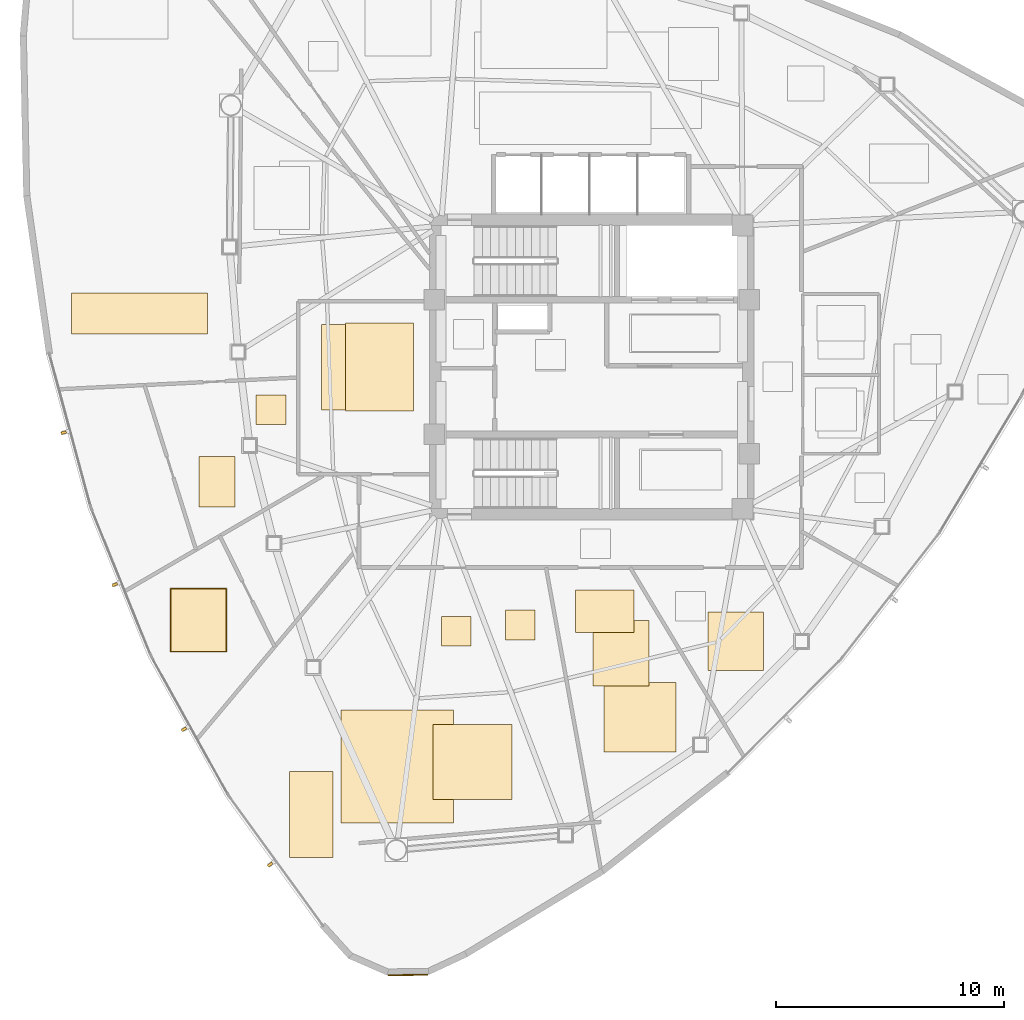
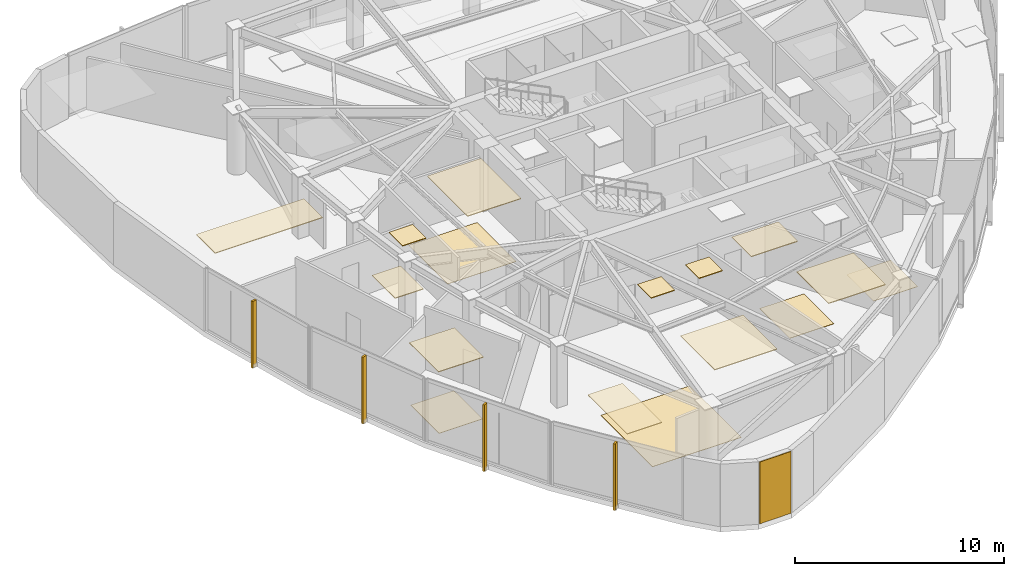
# One storey, part 11 of 13: 17 coverings, 4 shading devices.
"""IFC4 building model written with IfcOpenShell, lengths in metres."""

from ifc_helpers import new_model, si_unit, direction, frame, origin, origin_2d, place, context, subcontext, project, spatial, polyline, rectangle, outline, extrude, source, transform, mapped, material, layer, layer_set, type_object, type_shapes, element, save


model = new_model("IFC4")

# Units and contexts
model_context = context("Model", 3, precision=1e-05, world=origin(), true_north=direction((0.0, 1.0)))
body_context = subcontext(model_context, "Body", "Model", "MODEL_VIEW")
ifc_project = project(units=[si_unit("LENGTHUNIT", "METRE"), si_unit("AREAUNIT", "SQUARE_METRE"), si_unit("VOLUMEUNIT", "CUBIC_METRE"), si_unit("PLANEANGLEUNIT", "RADIAN"), si_unit("MASSUNIT", "GRAM", prefix="KILO")], contexts=[model_context])

# Site, building, storey
site_placement = place(None, origin())
site = spatial("IfcSite", under=ifc_project, at=site_placement, CompositionType="ELEMENT")
building_placement = place(site_placement, origin())
building = spatial("IfcBuilding", under=site, at=building_placement, Name="Tavelor Broadcast Tower", CompositionType="ELEMENT")
storey_placement = place(building_placement, frame((0.0, 0.0, 245.85009765625)))
storey = spatial("IfcBuildingStorey", under=building, at=storey_placement, Name="L58", CompositionType="ELEMENT", Elevation=245.85009765625)

# Coverings
ifc_material_1 = material(Name="Copper-Bronze Anodized Aluminium", Category="aluminium")
ifc_layer_1 = layer(ifc_material_1, 0.050048828125)
ifc_layer_set_1 = layer_set([ifc_layer_1], Name="Copper-Bronze Anodized Aluminium")
covering_type_1 = type_object("IfcCoveringType", Name="Champagne-Bronze Corner Pier Metal Cladding 50 mm", PredefinedType="CLADDING", material=ifc_layer_set_1)
covering_1_placement = place(storey_placement, frame((41.951416015625, 18.37841796875, 0.02001953125), z_axis=(0.0, 0.0, 1.0), x_axis=(0.999914327574, 0.013089595571, 0.0)))
element("IfcCovering", 1, at=covering_1_placement, inside=storey, type_object=covering_type_1, Name="L58 Champagne-Bronze Corner Cladding 13", PredefinedType="CLADDING", context=body_context, shape_type="SweptSolid", body=[
    extrude(rectangle(XDim=1.74365234375, YDim=0.050048828125, at=origin_2d()), origin(), (0.0, 0.0, 1.0), 3.610107421875),
])
ifc_material_2 = material(Name="Acoustic Nylon Carpet Tile")
ifc_layer_2 = layer(ifc_material_2, 0.02001953125)
ifc_layer_set_2 = layer_set([ifc_layer_2], Name="Acoustic Nylon Carpet Tile")
covering_type_2 = type_object("IfcCoveringType", Name="Heavy-Duty Acoustic Broadcast Carpet Tile 20 mm", PredefinedType="FLOORING", material=ifc_layer_set_2)
covering_2_placement = place(storey_placement, origin())
element("IfcCovering", 2, at=covering_2_placement, inside=storey, type_object=covering_type_2, Name="L58 Broadcast Floor Finish 0852", PredefinedType="FLOORING", context=body_context, shape_type="SweptSolid", body=[
    extrude(outline(polyline([(38.15771484375, 43.12890625), (41.942138671875, 43.12890625), (41.942138671875, 46.87060546875), (38.15771484375, 46.87060546875), (38.15771484375, 43.12890625)])), origin(), (0.0, 0.0, 1.0), 0.02001953125),
])
covering_3_placement = place(storey_placement, origin())
element("IfcCovering", 3, at=covering_3_placement, inside=storey, type_object=covering_type_2, Name="L58 Broadcast Floor Finish 0855", PredefinedType="FLOORING", context=body_context, shape_type="SweptSolid", body=[
    extrude(outline(polyline([(55.085205078125, 31.7099609375), (57.51806640625, 31.7099609375), (57.51806640625, 34.269775390625), (55.085205078125, 34.269775390625), (55.085205078125, 31.7099609375)])), origin(), (0.0, 0.0, 1.0), 0.02001953125),
])
covering_4_placement = place(storey_placement, origin())
element("IfcCovering", 4, at=covering_4_placement, inside=storey, type_object=covering_type_2, Name="L58 Broadcast Floor Finish 0856", PredefinedType="FLOORING", context=body_context, shape_type="SweptSolid", body=[
    extrude(outline(polyline([(50.062255859375, 31.02978515625), (52.50341796875, 31.02978515625), (52.50341796875, 33.90673828125), (50.062255859375, 33.90673828125), (50.062255859375, 31.02978515625)])), origin(), (0.0, 0.0, 1.0), 0.02001953125),
])
covering_5_placement = place(storey_placement, origin())
element("IfcCovering", 5, at=covering_5_placement, inside=storey, type_object=covering_type_2, Name="L58 Broadcast Floor Finish 0857", PredefinedType="FLOORING", context=body_context, shape_type="SweptSolid", body=[
    extrude(outline(polyline([(39.02490234375, 25.038818359375), (43.936767578125, 25.038818359375), (43.936767578125, 29.984130859375), (39.02490234375, 29.984130859375), (39.02490234375, 25.038818359375)])), origin(), (0.0, 0.0, 1.0), 0.02001953125),
])
covering_6_placement = place(storey_placement, origin())
element("IfcCovering", 6, at=covering_6_placement, inside=storey, type_object=covering_type_2, Name="L58 Broadcast Floor Finish 0858", PredefinedType="FLOORING", context=body_context, shape_type="SweptSolid", body=[
    extrude(outline(polyline([(31.5751953125, 32.552734375), (33.978271484375, 32.552734375), (33.978271484375, 35.281005859375), (31.5751953125, 35.281005859375), (31.5751953125, 32.552734375)])), origin(), (0.0, 0.0, 1.0), 0.02001953125),
])
ifc_material_3 = material(Name="Acoustic Mineral Fibre Tile")
ifc_layer_3 = layer(ifc_material_3, 0.0400390625)
ifc_layer_set_3 = layer_set([ifc_layer_3], Name="Acoustic Mineral Fibre Tile")
covering_type_3 = type_object("IfcCoveringType", Name="Suspended Acoustic Mineral-Fibre Office Ceiling 40 mm", PredefinedType="CEILING", material=ifc_layer_set_3)
covering_7_placement = place(storey_placement, frame((0.0, 0.0, 3.60986328125)))
element("IfcCovering", 7, at=covering_7_placement, inside=storey, type_object=covering_type_3, Name="L58 Suspended Acoustic Ceiling 2278", PredefinedType="CEILING", context=body_context, shape_type="SweptSolid", body=[
    extrude(outline(polyline([(39.2216796875, 43.0712890625), (42.182373046875, 43.0712890625), (42.182373046875, 46.927978515625), (39.2216796875, 46.927978515625), (39.2216796875, 43.0712890625)])), origin(), (0.0, 0.0, 1.0), 0.0400390625),
])
covering_8_placement = place(storey_placement, frame((0.0, 0.0, 3.60986328125)))
element("IfcCovering", 8, at=covering_8_placement, inside=storey, type_object=covering_type_3, Name="L58 Suspended Acoustic Ceiling 2282", PredefinedType="CEILING", context=body_context, shape_type="SweptSolid", body=[
    extrude(outline(polyline([(50.53759765625, 28.140869140625), (53.685546875, 28.140869140625), (53.685546875, 31.19287109375), (50.53759765625, 31.19287109375), (50.53759765625, 28.140869140625)])), origin(), (0.0, 0.0, 1.0), 0.0400390625),
])
covering_9_placement = place(storey_placement, frame((0.0, 0.0, 3.60986328125)))
element("IfcCovering", 9, at=covering_9_placement, inside=storey, type_object=covering_type_3, Name="L58 Suspended Acoustic Ceiling 2283", PredefinedType="CEILING", context=body_context, shape_type="SweptSolid", body=[
    extrude(outline(polyline([(49.2880859375, 33.368896484375), (51.852294921875, 33.368896484375), (51.852294921875, 35.238525390625), (49.2880859375, 35.238525390625), (49.2880859375, 33.368896484375)])), origin(), (0.0, 0.0, 1.0), 0.0400390625),
])
covering_10_placement = place(storey_placement, frame((0.0, 0.0, 3.60986328125)))
element("IfcCovering", 10, at=covering_10_placement, inside=storey, type_object=covering_type_3, Name="L58 Suspended Acoustic Ceiling 2284", PredefinedType="CEILING", context=body_context, shape_type="SweptSolid", body=[
    extrude(outline(polyline([(43.415283203125, 32.7802734375), (44.715087890625, 32.7802734375), (44.715087890625, 34.080322265625), (43.415283203125, 34.080322265625), (43.415283203125, 32.7802734375)])), origin(), (0.0, 0.0, 1.0), 0.0400390625),
])
covering_11_placement = place(storey_placement, frame((0.0, 0.0, 3.60986328125)))
element("IfcCovering", 11, at=covering_11_placement, inside=storey, type_object=covering_type_3, Name="L58 Suspended Acoustic Ceiling 2285", PredefinedType="CEILING", context=body_context, shape_type="SweptSolid", body=[
    extrude(outline(polyline([(46.217041015625, 33.05322265625), (47.51708984375, 33.05322265625), (47.51708984375, 34.353271484375), (46.217041015625, 34.353271484375), (46.217041015625, 33.05322265625)])), origin(), (0.0, 0.0, 1.0), 0.0400390625),
])
covering_12_placement = place(storey_placement, frame((0.0, 0.0, 3.60986328125)))
element("IfcCovering", 12, at=covering_12_placement, inside=storey, type_object=covering_type_3, Name="L58 Suspended Acoustic Ceiling 2286", PredefinedType="CEILING", context=body_context, shape_type="SweptSolid", body=[
    extrude(outline(polyline([(43.053955078125, 26.074462890625), (46.50537109375, 26.074462890625), (46.50537109375, 29.3408203125), (43.053955078125, 29.3408203125), (43.053955078125, 26.074462890625)])), origin(), (0.0, 0.0, 1.0), 0.0400390625),
])
covering_13_placement = place(storey_placement, frame((0.0, 0.0, 3.60986328125)))
element("IfcCovering", 13, at=covering_13_placement, inside=storey, type_object=covering_type_3, Name="L58 Suspended Acoustic Ceiling 2287", PredefinedType="CEILING", context=body_context, shape_type="SweptSolid", body=[
    extrude(outline(polyline([(36.756591796875, 23.53369140625), (38.676025390625, 23.53369140625), (38.676025390625, 27.2978515625), (36.756591796875, 27.2978515625), (36.756591796875, 23.53369140625)])), origin(), (0.0, 0.0, 1.0), 0.0400390625),
])
covering_14_placement = place(storey_placement, frame((0.0, 0.0, 3.60986328125)))
element("IfcCovering", 14, at=covering_14_placement, inside=storey, type_object=covering_type_3, Name="L58 Suspended Acoustic Ceiling 2288", PredefinedType="CEILING", context=body_context, shape_type="SweptSolid", body=[
    extrude(outline(polyline([(31.531005859375, 32.52197265625), (34.01513671875, 32.52197265625), (34.01513671875, 35.334716796875), (31.531005859375, 35.334716796875), (31.531005859375, 32.52197265625)])), origin(), (0.0, 0.0, 1.0), 0.0400390625),
])
covering_15_placement = place(storey_placement, frame((0.0, 0.0, 3.60986328125)))
element("IfcCovering", 15, at=covering_15_placement, inside=storey, type_object=covering_type_3, Name="L58 Suspended Acoustic Ceiling 2291", PredefinedType="CEILING", context=body_context, shape_type="SweptSolid", body=[
    extrude(outline(polyline([(27.224609375, 46.440185546875), (33.169189453125, 46.440185546875), (33.169189453125, 48.24072265625), (27.224609375, 48.24072265625), (27.224609375, 46.440185546875)])), origin(), (0.0, 0.0, 1.0), 0.0400390625),
])
covering_16_placement = place(storey_placement, frame((0.0, 0.0, 3.60986328125)))
element("IfcCovering", 16, at=covering_16_placement, inside=storey, type_object=covering_type_3, Name="L58 Suspended Acoustic Ceiling 2302", PredefinedType="CEILING", context=body_context, shape_type="SweptSolid", body=[
    extrude(outline(polyline([(32.80126953125, 38.88037109375), (34.376220703125, 38.88037109375), (34.376220703125, 41.087158203125), (32.80126953125, 41.087158203125), (32.80126953125, 38.88037109375)])), origin(), (0.0, 0.0, 1.0), 0.0400390625),
])
covering_17_placement = place(storey_placement, frame((0.0, 0.0, 3.60986328125)))
element("IfcCovering", 17, at=covering_17_placement, inside=storey, type_object=covering_type_3, Name="L58 Suspended Acoustic Ceiling 2303", PredefinedType="CEILING", context=body_context, shape_type="SweptSolid", body=[
    extrude(outline(polyline([(35.2978515625, 42.481201171875), (36.597900390625, 42.481201171875), (36.597900390625, 43.78125), (35.2978515625, 43.78125), (35.2978515625, 42.481201171875)])), origin(), (0.0, 0.0, 1.0), 0.0400390625),
])

# Shading devices
ifc_material_4 = material(Name="Kiln-Fired Glazed Terracotta", Category="masonry")
shading_device_type = type_object("IfcShadingDeviceType", Name="Extruded Terracotta Baguette Sun-Screen 110x240", PredefinedType="JALOUSIE", material=ifc_material_4)
shared_shape = source(origin(), body_context, "Body", "SweptSolid", [
    extrude(rectangle(XDim=0.110107421875, YDim=0.239990234375, at=origin_2d()), origin(), (0.0, 0.0, 1.0), 3.889892578125),
])
type_shapes(shading_device_type, [shared_shape])
for number, where, z_axis, x_axis, name in (
    (18, (26.868408203125, 42.132080078125, -0.26025390625), (0.0, 0.0, 1.0), (0.261009993198, -0.965336098699, 0.0), "L58 Terracotta Baguette Fin 601"),
    (19, (29.108642578125, 35.475341796875, -0.26025390625), (0.0, 0.0, 1.0), (0.375900820721, -0.926659901464, 0.0), "L58 Terracotta Baguette Fin 602"),
    (20, (32.137939453125, 29.138671875, -0.26025390625), (0.0, 0.0, 1.0), (0.485267503577, -0.874365741536, 0.0), "L58 Terracotta Baguette Fin 603"),
    (21, (35.911865234375, 23.215087890625, -0.26025390625), (0.0, 0.0, 1.0), (0.587502816283, -0.809222120842, 0.0), "L58 Terracotta Baguette Fin 604"),
):
    element("IfcShadingDevice", number, at=place(storey_placement, frame(where, z_axis=z_axis, x_axis=x_axis)), inside=storey, type_object=shading_device_type, Name=name, PredefinedType="JALOUSIE", context=body_context, shape_type="MappedRepresentation", body=[
        mapped(shared_shape, transform((0.0, 0.0, 0.0), scale=1.0)),
    ])

save(model, "model.ifc")
